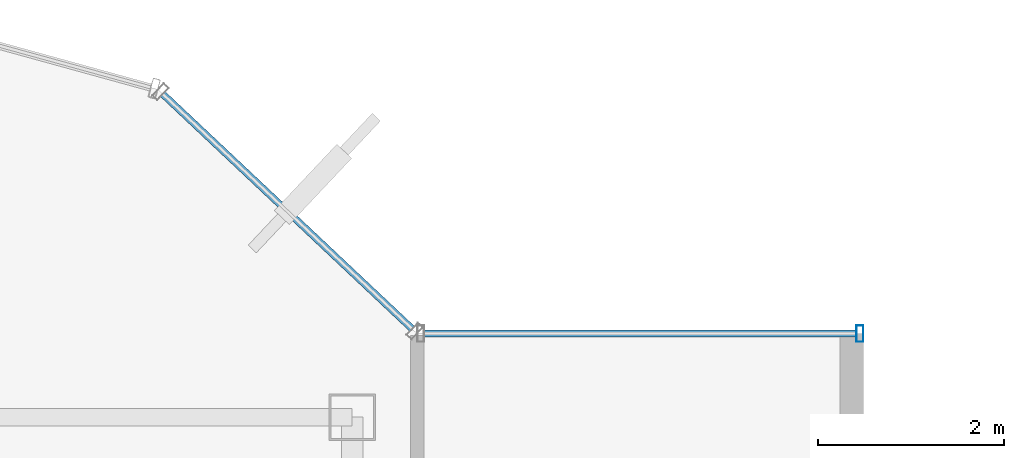
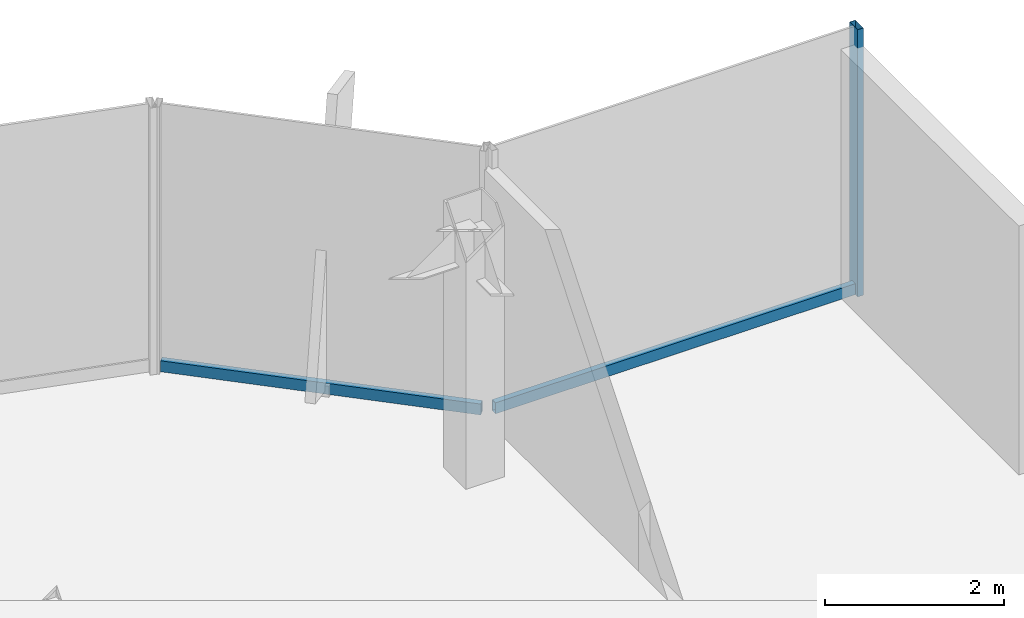
# One storey, part 15 of 22: 3 members, 2 elements without a shape of their own.
"""IFC4 building model written with IfcOpenShell, lengths in metres."""

from ifc_helpers import new_model, si_unit, derived_unit, direction, frame, origin, origin_2d, place, context, subcontext, project, spatial, hollow_rectangle, extrude, source, transform, mapped, material, material_profile, profile_set, type_object, element, aggregate, save


model = new_model("IFC4")

# Units and contexts
model_context = context("Model", 3, precision=1e-05, world=origin(), true_north=direction((0.0, 1.0)))
body_context = subcontext(model_context, "Body", "Model", "MODEL_VIEW")
ifc_project = project(units=[si_unit("LENGTHUNIT", "METRE"), si_unit("AREAUNIT", "SQUARE_METRE"), si_unit("VOLUMEUNIT", "CUBIC_METRE"), si_unit("PLANEANGLEUNIT", "RADIAN"), si_unit("MASSUNIT", "GRAM", prefix="KILO"), derived_unit("THERMALTRANSMITTANCEUNIT", [(si_unit("POWERUNIT", "WATT"), 1), (si_unit("LENGTHUNIT", "METRE"), -2), (si_unit("THERMODYNAMICTEMPERATUREUNIT", "KELVIN"), -1)])], contexts=[model_context])

# Site, building, storey
site_placement = place(None, origin())
site = spatial("IfcSite", under=ifc_project, at=site_placement, CompositionType="ELEMENT")
building_placement = place(site_placement, origin())
building = spatial("IfcBuilding", under=site, at=building_placement, Name="Skarnbrae Concourse Arena and Tower", CompositionType="ELEMENT")
storey_placement = place(building_placement, frame((0.0, 0.0, 210.5)))
storey = spatial("IfcBuildingStorey", under=building, at=storey_placement, Name="L54", CompositionType="ELEMENT", Elevation=210.5)

# Curtain wall, members
ifc_material = material(Name="Bronze anodised aluminium 6063-T6", Category="aluminium")
curtain_wall_type = type_object("IfcCurtainWallType", Name="CW-SYS-05-HIGHZONE", PredefinedType="USERDEFINED", material=ifc_material)
curtain_wall_1_placement = place(storey_placement, origin())
curtain_wall_1 = element("IfcCurtainWall", 1, at=curtain_wall_1_placement, inside=storey, type_object=curtain_wall_type, Name="L54 Unitised curtain wall CW-L54-E07", ObjectType="UNITISED CURTAIN WALL", PredefinedType="USERDEFINED")
ifc_material_profile_1 = material_profile(ifc_material, hollow_rectangle(XDim=0.074951171875, YDim=0.179931640625, WallThickness=0.00390625, at=origin_2d()), Name="ALU-MULL-75X180")
ifc_profile_set_1 = profile_set([ifc_material_profile_1], Name="Bronze anodised aluminium 6063-T6")
member_type_1 = type_object("IfcMemberType", Name="CWM-CW-05", PredefinedType="MULLION", material=ifc_profile_set_1)
shared_shape_1 = source(origin(), body_context, "Body", "SweptSolid", [
    extrude(hollow_rectangle(XDim=0.074951171875, YDim=0.179931640625, WallThickness=0.00390625, at=origin_2d()), origin(), (0.0, 0.0, 1.0), 3.64990234375),
])
member_1_placement = place(storey_placement, frame((38.96240234375, 35.300048828125, 0.0), z_axis=(0.0, 0.0, 1.0), x_axis=(-1.0, 0.0, 0.0)))
member_1 = element("IfcMember", 2, at=member_1_placement, type_object=member_type_1, Name="CW-L54-E07 Mullion 1", PredefinedType="MULLION", context=body_context, shape_type="MappedRepresentation", body=[
    mapped(shared_shape_1, transform((0.0, 0.0, 0.0))),
])
ifc_material_profile_2 = material_profile(ifc_material, hollow_rectangle(XDim=0.074951171875, YDim=0.14990234375, WallThickness=0.00390625, at=origin_2d()), Name="ALU-TRAN-75X150")
ifc_profile_set_2 = profile_set([ifc_material_profile_2], Name="Bronze anodised aluminium 6063-T6")
member_type_2 = type_object("IfcMemberType", Name="CWT-CW-05", PredefinedType="USERDEFINED", material=ifc_profile_set_2)
shared_shape_2 = source(origin(), body_context, "Body", "SweptSolid", [
    extrude(hollow_rectangle(XDim=0.074951171875, YDim=0.14990234375, WallThickness=0.00390625, at=origin_2d()), origin(), (0.0, 0.0, 1.0), 4.650146484375),
])
member_2_placement = place(storey_placement, frame((38.925048828125, 35.300048828125, 0.074951171875), z_axis=(-1.0, 0.0, 0.0), x_axis=(0.0, -1.0, 0.0)))
member_2 = element("IfcMember", 3, at=member_2_placement, type_object=member_type_2, Name="CW-L54-E07 Transom 1", ObjectType="TRANSOM", PredefinedType="USERDEFINED", context=body_context, shape_type="MappedRepresentation", body=[
    mapped(shared_shape_2, transform((0.0, 0.0, 0.0))),
])
aggregate(curtain_wall_1, [member_1, member_2])

# Curtain wall, member
curtain_wall_2_placement = place(storey_placement, origin())
curtain_wall_2 = element("IfcCurtainWall", 4, at=curtain_wall_2_placement, inside=storey, type_object=curtain_wall_type, Name="L54 Unitised curtain wall CW-L54-E08", ObjectType="UNITISED CURTAIN WALL", PredefinedType="USERDEFINED")
shared_shape_3 = source(origin(), body_context, "Body", "SweptSolid", [
    extrude(hollow_rectangle(XDim=0.074951171875, YDim=0.14990234375, WallThickness=0.00390625, at=origin_2d()), origin(), (0.0, 0.0, 1.0), 3.68212890625),
])
member_3_placement = place(storey_placement, frame((34.1455078125, 35.351318359375, 0.074951171875), z_axis=(-0.728133808476, 0.685435012933, 0.0), x_axis=(-0.685435012933, -0.728133808476, 0.0)))
member_3 = element("IfcMember", 5, at=member_3_placement, type_object=member_type_2, Name="CW-L54-E08 Transom 1", ObjectType="TRANSOM", PredefinedType="USERDEFINED", context=body_context, shape_type="MappedRepresentation", body=[
    mapped(shared_shape_3, transform((0.0, 0.0, 0.0))),
])
aggregate(curtain_wall_2, [member_3])

save(model, "model.ifc")
